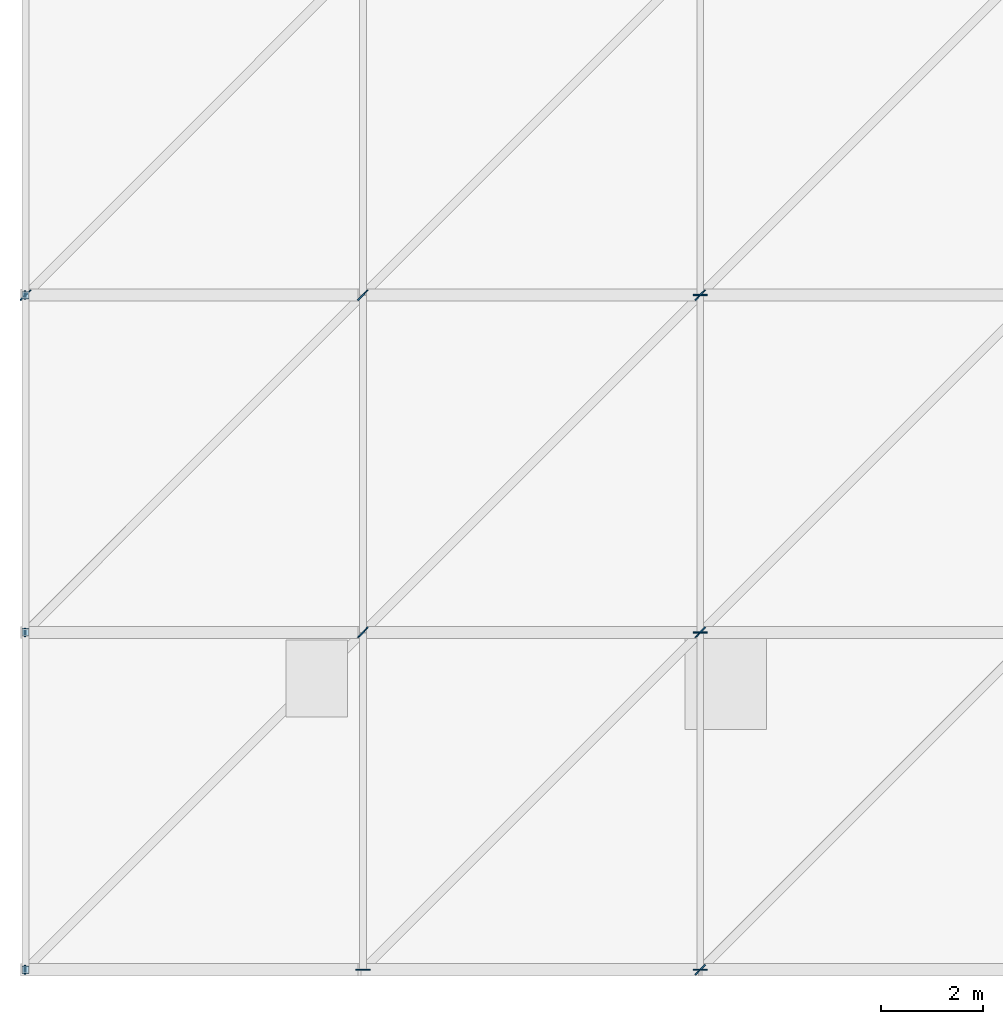
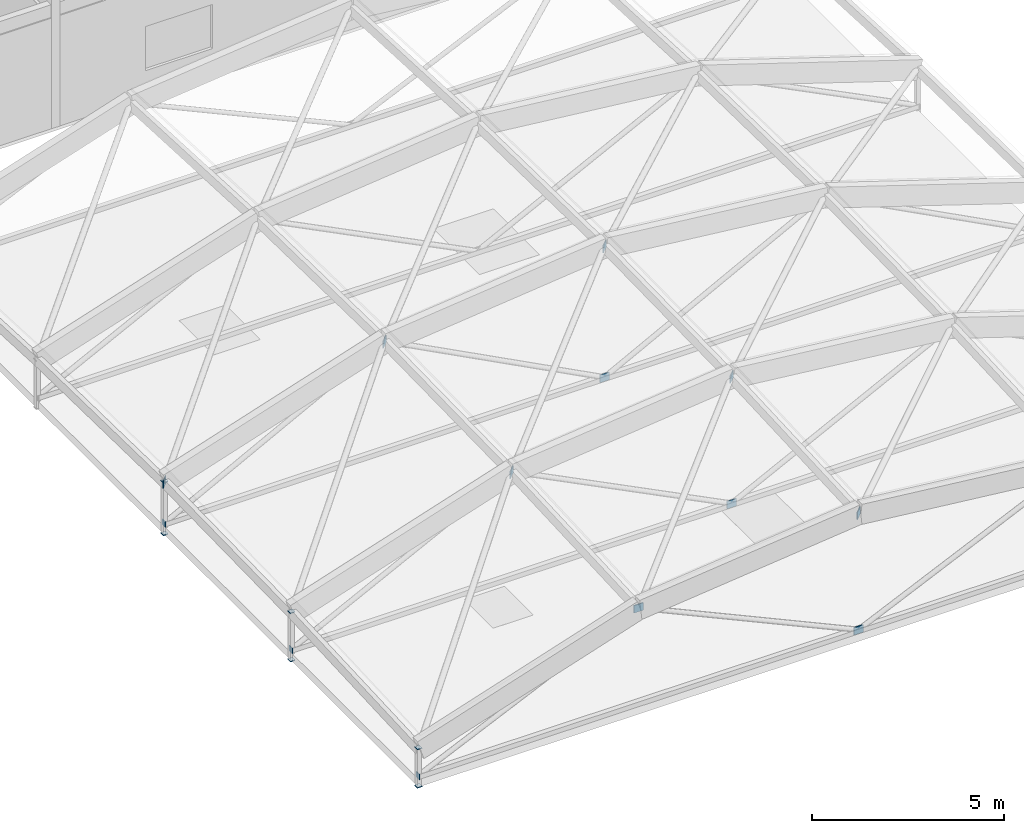
# One storey, part 122 of 157: 19 plates.
"""IFC4 building model written with IfcOpenShell, lengths in metres."""

from ifc_helpers import new_model, si_unit, direction, frame, origin, origin_2d, place, context, subcontext, project, spatial, rectangle, extrude, material, layer, layer_set, type_object, element, save


model = new_model("IFC4")

# Units and contexts
model_context = context("Model", 3, precision=1e-05, world=origin(), true_north=direction((0.0, 1.0)))
body_context = subcontext(model_context, "Body", "Model", "MODEL_VIEW")
ifc_project = project(units=[si_unit("LENGTHUNIT", "METRE"), si_unit("AREAUNIT", "SQUARE_METRE"), si_unit("VOLUMEUNIT", "CUBIC_METRE"), si_unit("PLANEANGLEUNIT", "RADIAN"), si_unit("MASSUNIT", "GRAM", prefix="KILO")], contexts=[model_context])

# Site, building, storey
site_placement = place(None, origin())
site = spatial("IfcSite", under=ifc_project, at=site_placement, CompositionType="ELEMENT")
building_placement = place(site_placement, origin())
building = spatial("IfcBuilding", under=site, at=building_placement, Name="Karori Crest Natural Sciences Institute", CompositionType="ELEMENT")
storey_placement = place(building_placement, frame((0.0, 0.0, 13.300048828125)))
storey = spatial("IfcBuildingStorey", under=building, at=storey_placement, Name="L03", CompositionType="ELEMENT", Elevation=13.300048828125)

# Plates
ifc_material = material(Name="Structural steel AS/NZS 3679.1 Grade 350", Category="steel")
ifc_layer_1 = layer(ifc_material, 0.02490234375, Name="Structural steel AS/NZS 3679.1 Grade 350")
ifc_layer_set_1 = layer_set([ifc_layer_1], Name="Structural steel AS/NZS 3679.1 Grade 350")
plate_type_1 = type_object("IfcPlateType", Name="PLT-06", PredefinedType="SHEET", material=ifc_layer_set_1)
plate_1_placement = place(storey_placement, frame((0.78759765625, 0.800048828125, 0.034912109375), z_axis=(0.0, 0.0, 1.0), x_axis=(1.0, 0.0, 0.0)))
element("IfcPlate", 1, at=plate_1_placement, inside=storey, type_object=plate_type_1, Name="Hollow section end cap EP-0263", PredefinedType="SHEET", context=body_context, shape_type="SweptSolid", body=[
    extrude(rectangle(XDim=0.02490234375, YDim=0.169921875, at=origin_2d()), origin(), (0.0, 0.0, 1.0), 0.169921875),
])
for number, where, z_axis, x_axis, name in (
    (2, (7.39990234375, 0.800048828125, 3.00732421875), (0.0, 0.0, 1.0), (1.0, 0.0, 0.0), "Brace gusset plate EP-0265"),
    (3, (14.0, 0.800048828125, 0.0), (0.0, 0.0, 1.0), (1.0, 0.0, 0.0), "Brace gusset plate EP-0267"),
):
    element("IfcPlate", number, at=place(storey_placement, frame(where, z_axis=z_axis, x_axis=x_axis)), inside=storey, type_object=plate_type_1, Name=name, PredefinedType="SHEET", context=body_context, shape_type="SweptSolid", body=[
        extrude(rectangle(XDim=0.280029296875, YDim=0.02490234375, at=origin_2d()), origin(), (0.0, 0.0, 1.0), 0.239990234375),
    ])
plate_2_placement = place(storey_placement, frame((0.78759765625, 7.39990234375, 0.034912109375), z_axis=(0.0, 0.0, 1.0), x_axis=(1.0, 0.0, 0.0)))
element("IfcPlate", 4, at=plate_2_placement, inside=storey, type_object=plate_type_1, Name="Hollow section end cap EP-0276", PredefinedType="SHEET", context=body_context, shape_type="SweptSolid", body=[
    extrude(rectangle(XDim=0.02490234375, YDim=0.169921875, at=origin_2d()), origin(), (0.0, 0.0, 1.0), 0.169921875),
])
plate_3_placement = place(storey_placement, frame((14.0, 7.39990234375, 0.0), z_axis=(0.0, 0.0, 1.0), x_axis=(1.0, 0.0, 0.0)))
element("IfcPlate", 5, at=plate_3_placement, inside=storey, type_object=plate_type_1, Name="Brace gusset plate EP-0279", PredefinedType="SHEET", context=body_context, shape_type="SweptSolid", body=[
    extrude(rectangle(XDim=0.280029296875, YDim=0.02490234375, at=origin_2d()), origin(), (0.0, 0.0, 1.0), 0.239990234375),
])
plate_4_placement = place(storey_placement, frame((0.78759765625, 14.0, 0.034912109375), z_axis=(0.0, 0.0, 1.0), x_axis=(1.0, 0.0, 0.0)))
element("IfcPlate", 6, at=plate_4_placement, inside=storey, type_object=plate_type_1, Name="Hollow section end cap EP-0287", PredefinedType="SHEET", context=body_context, shape_type="SweptSolid", body=[
    extrude(rectangle(XDim=0.02490234375, YDim=0.169921875, at=origin_2d()), origin(), (0.0, 0.0, 1.0), 0.169921875),
])
plate_5_placement = place(storey_placement, frame((14.0, 14.0, 0.0), z_axis=(0.0, 0.0, 1.0), x_axis=(1.0, 0.0, 0.0)))
element("IfcPlate", 7, at=plate_5_placement, inside=storey, type_object=plate_type_1, Name="Brace gusset plate EP-0291", PredefinedType="SHEET", context=body_context, shape_type="SweptSolid", body=[
    extrude(rectangle(XDim=0.280029296875, YDim=0.02490234375, at=origin_2d()), origin(), (0.0, 0.0, 1.0), 0.239990234375),
])
ifc_layer_2 = layer(ifc_material, 0.02490234375, Name="Structural steel AS/NZS 3679.1 Grade 350")
ifc_layer_set_2 = layer_set([ifc_layer_2], Name="Structural steel AS/NZS 3679.1 Grade 350")
plate_type_2 = type_object("IfcPlateType", Name="PLT-06-EL", PredefinedType="SHEET", material=ifc_layer_set_2)
for number, where, z_axis, x_axis, name in (
    (8, (0.800048828125, 0.800048828125, -0.22509765625), (0.0, 0.0, 1.0), (1.0, 0.0, 0.0), "Hollow section end cap EP-0259"),
    (9, (0.800048828125, 0.800048828125, 0.989990234375), (0.0, 0.0, 1.0), (1.0, 0.0, 0.0), "Hollow section end cap EP-0260"),
):
    element("IfcPlate", number, at=place(storey_placement, frame(where, z_axis=z_axis, x_axis=x_axis)), inside=storey, type_object=plate_type_2, Name=name, PredefinedType="SHEET", context=body_context, shape_type="SweptSolid", body=[
        extrude(rectangle(XDim=0.14501953125, YDim=0.14501953125, at=origin_2d()), origin(), (0.0, 0.0, 1.0), 0.02490234375),
    ])
for number, where, z_axis, x_axis, name in (
    (10, (7.39990234375, 7.39990234375, 3.3056640625), (0.0, 0.0, 1.0), (0.707106781187, 0.707106781187, 0.0), "Brace gusset plate EP-0266"),
    (11, (14.0, 7.39990234375, 4.01806640625), (0.0, 0.0, 1.0), (0.707106781187, 0.707106781187, 0.0), "Brace gusset plate EP-0268"),
    (12, (14.0, 0.800048828125, 3.7001953125), (0.0, 0.0, 1.0), (0.707106781187, 0.707106781187, 0.0), "Brace gusset plate EP-0270"),
):
    element("IfcPlate", number, at=place(storey_placement, frame(where, z_axis=z_axis, x_axis=x_axis)), inside=storey, type_object=plate_type_2, Name=name, PredefinedType="SHEET", context=body_context, shape_type="SweptSolid", body=[
        extrude(rectangle(XDim=0.280029296875, YDim=0.02490234375, at=origin_2d()), origin(), (0.0, 0.0, 1.0), 0.239990234375),
    ])
for number, where, z_axis, x_axis, name in (
    (13, (0.800048828125, 7.39990234375, -0.22509765625), (0.0, 0.0, 1.0), (1.0, 0.0, 0.0), "Hollow section end cap EP-0273"),
    (14, (0.800048828125, 7.39990234375, 1.30810546875), (0.0, 0.0, 1.0), (1.0, 0.0, 0.0), "Hollow section end cap EP-0274"),
):
    element("IfcPlate", number, at=place(storey_placement, frame(where, z_axis=z_axis, x_axis=x_axis)), inside=storey, type_object=plate_type_2, Name=name, PredefinedType="SHEET", context=body_context, shape_type="SweptSolid", body=[
        extrude(rectangle(XDim=0.14501953125, YDim=0.14501953125, at=origin_2d()), origin(), (0.0, 0.0, 1.0), 0.02490234375),
    ])
for number, where, z_axis, x_axis, name in (
    (15, (7.39990234375, 14.0, 3.4375), (0.0, 0.0, 1.0), (0.707106781187, 0.707106781187, 0.0), "Brace gusset plate EP-0278"),
    (16, (14.0, 14.0, 4.14990234375), (0.0, 0.0, 1.0), (0.707106781187, 0.707106781187, 0.0), "Brace gusset plate EP-0280"),
):
    element("IfcPlate", number, at=place(storey_placement, frame(where, z_axis=z_axis, x_axis=x_axis)), inside=storey, type_object=plate_type_2, Name=name, PredefinedType="SHEET", context=body_context, shape_type="SweptSolid", body=[
        extrude(rectangle(XDim=0.280029296875, YDim=0.02490234375, at=origin_2d()), origin(), (0.0, 0.0, 1.0), 0.239990234375),
    ])
for number, where, z_axis, x_axis, name in (
    (17, (0.800048828125, 14.0, -0.22509765625), (0.0, 0.0, 1.0), (1.0, 0.0, 0.0), "Hollow section end cap EP-0283"),
    (18, (0.800048828125, 14.0, 1.43994140625), (0.0, 0.0, 1.0), (1.0, 0.0, 0.0), "Hollow section end cap EP-0284"),
):
    element("IfcPlate", number, at=place(storey_placement, frame(where, z_axis=z_axis, x_axis=x_axis)), inside=storey, type_object=plate_type_2, Name=name, PredefinedType="SHEET", context=body_context, shape_type="SweptSolid", body=[
        extrude(rectangle(XDim=0.14501953125, YDim=0.14501953125, at=origin_2d()), origin(), (0.0, 0.0, 1.0), 0.02490234375),
    ])
plate_6_placement = place(storey_placement, frame((0.800048828125, 14.0, 1.2998046875), z_axis=(0.0, 0.0, 1.0), x_axis=(0.707106781187, 0.707106781187, 0.0)))
element("IfcPlate", 19, at=plate_6_placement, inside=storey, type_object=plate_type_2, Name="Brace gusset plate EP-0289", PredefinedType="SHEET", context=body_context, shape_type="SweptSolid", body=[
    extrude(rectangle(XDim=0.280029296875, YDim=0.02490234375, at=origin_2d()), origin(), (0.0, 0.0, 1.0), 0.239990234375),
])

save(model, "model.ifc")
